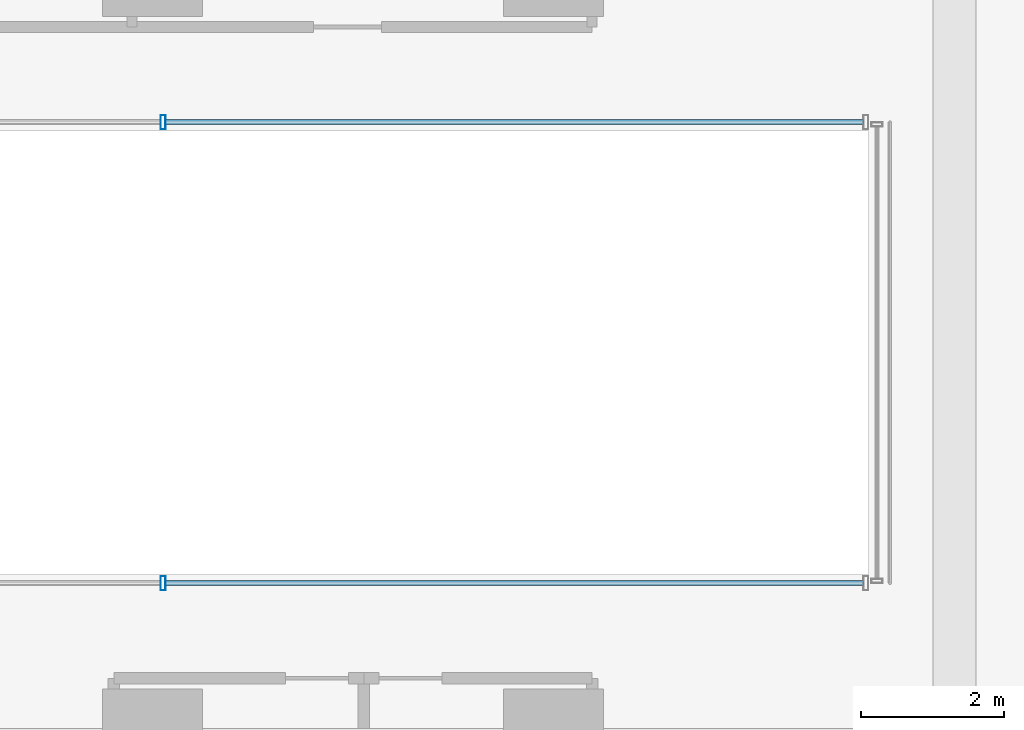
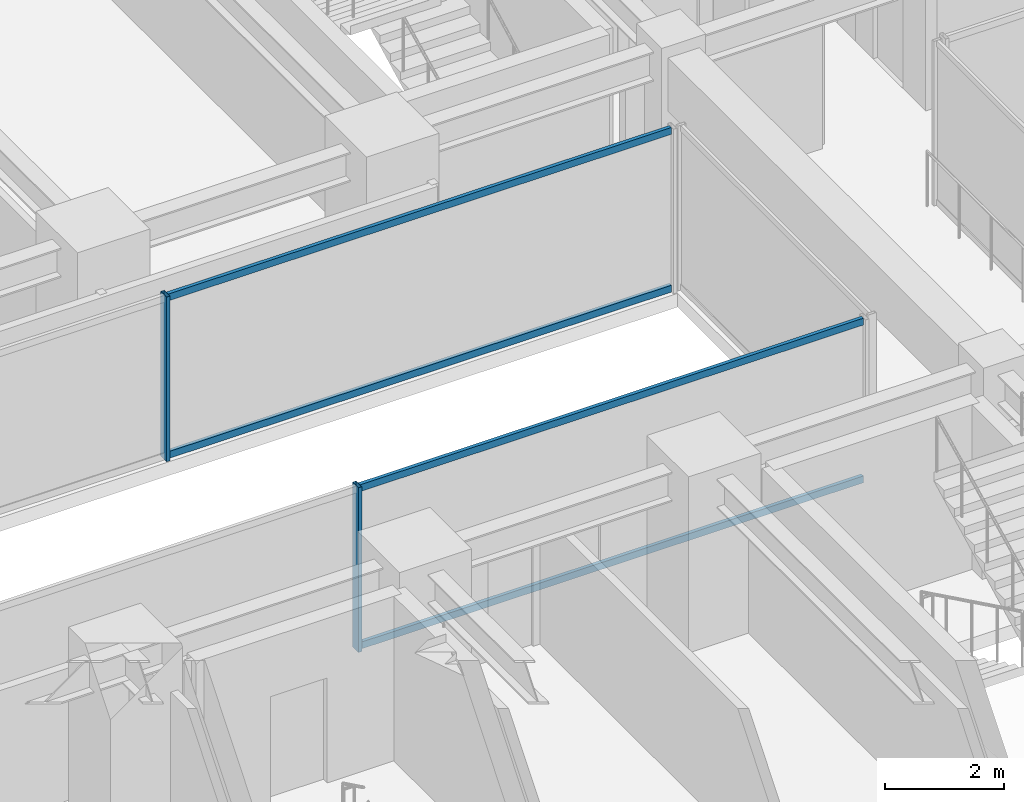
# One storey, part 11 of 37: 6 members, 2 elements without a shape of their own.
"""IFC4 building model written with IfcOpenShell, lengths in metres."""

import ifcopenshell
import ifcopenshell.guid

model = None  # the IFC model being written
_history = None  # IfcOwnerHistory: only IFC2X3 demands one
_inside = {}  # id of a spatial element -> (the spatial element, [elements in it])
_under = {}  # id of a project, library or spatial element -> (it, [spatial elements below it])
_declared = {}  # id of a project -> (the project, [libraries it declares])
_typed = {}  # id of a type object -> (the type object, [elements of that type])
_made_of = {}  # id of a material, layer set ... -> (it, [elements and type objects made of it])


def new_model(schema):
    """Start an empty IFC model of exactly this schema.

    Asked for "IFC4X3", IfcOpenShell would pick the latest addendum, in which some entities
    have other attributes; the version numbers below select the first issue.
    IFC2X3 requires an IfcOwnerHistory on every rooted entity: one is made here for all.
    """
    global model, _history
    if schema == "IFC4X3":
        model = ifcopenshell.file(schema_version=(4, 3, 0, 0))
    else:
        model = ifcopenshell.file(schema=schema)
    _inside.clear()
    _under.clear()
    _declared.clear()
    _typed.clear()
    _made_of.clear()
    _history = None
    if model.schema == "IFC2X3":
        org = make("IfcOrganization", Name="unknown")
        user = make(
            "IfcPersonAndOrganization",
            ThePerson=make("IfcPerson", FamilyName="unknown"),
            TheOrganization=org,
        )
        app = make(
            "IfcApplication",
            ApplicationDeveloper=org,
            Version="unknown",
            ApplicationFullName="unknown",
            ApplicationIdentifier="unknown",
        )
        _history = make(
            "IfcOwnerHistory",
            OwningUser=user,
            OwningApplication=app,
            ChangeAction="ADDED",
            CreationDate=0,
        )
    return model


def make(cls, **values):
    """One entity of the class cls with the attributes given. An attribute that is None is left unset."""
    return model.create_entity(
        cls, **{name: value for name, value in values.items() if value is not None}
    )


def rooted(cls, **values):
    """An entity with a GlobalId (a new one), such as an element, a storey or a relation."""
    return make(cls, GlobalId=ifcopenshell.guid.new(), OwnerHistory=_history, **values)


def si_unit(unit_type, name, prefix=None):
    """IfcSIUnit, for example si_unit("LENGTHUNIT", "METRE", prefix="MILLI")."""
    return make("IfcSIUnit", UnitType=unit_type, Prefix=prefix, Name=name)


def assignment(units):
    """IfcUnitAssignment: the units of a project."""
    return None if units is None else make("IfcUnitAssignment", Units=units)


def point(xyz):
    """IfcCartesianPoint."""
    return None if xyz is None else make("IfcCartesianPoint", Coordinates=xyz)


def direction(xyz):
    """IfcDirection."""
    return None if xyz is None else make("IfcDirection", DirectionRatios=xyz)


def frame(location, z_axis=None, x_axis=None):
    """IfcAxis2Placement3D, a coordinate frame: its origin and axes. An axis left out is left unset."""
    return make(
        "IfcAxis2Placement3D",
        Location=point(location),
        Axis=direction(z_axis),
        RefDirection=direction(x_axis),
    )


def frame_2d(location, x_axis=None):
    """IfcAxis2Placement2D, a coordinate frame in the plane: its origin and x axis."""
    return make(
        "IfcAxis2Placement2D", Location=point(location), RefDirection=direction(x_axis)
    )


def origin():
    """The frame at (0, 0, 0) with its axes left unset."""
    return frame((0.0, 0.0, 0.0))


def origin_2d():
    """The frame at (0, 0) in the plane with its x axis left unset."""
    return frame_2d((0.0, 0.0))


def place(relative_to, where):
    """IfcLocalPlacement: puts the frame where relative to a parent placement (None: the world)."""
    return make(
        "IfcLocalPlacement", PlacementRelTo=relative_to, RelativePlacement=where
    )


def context(
    kind, dimensions, precision=None, world=None, true_north=None, identifier=None
):
    """IfcGeometricRepresentationContext, for example the 3D "Model" context."""
    return make(
        "IfcGeometricRepresentationContext",
        ContextIdentifier=identifier,
        ContextType=kind,
        CoordinateSpaceDimension=dimensions,
        Precision=precision,
        WorldCoordinateSystem=world,
        TrueNorth=true_north,
    )


def subcontext(parent, identifier, kind, view, scale=None):
    """IfcGeometricRepresentationSubContext, for example "Body" below "Model"."""
    return make(
        "IfcGeometricRepresentationSubContext",
        ContextIdentifier=identifier,
        ContextType=kind,
        ParentContext=parent,
        TargetScale=scale,
        TargetView=view,
    )


def project(units=None, contexts=None):
    """IfcProject with its units and contexts."""
    return rooted(
        "IfcProject",
        Name="project",
        RepresentationContexts=contexts,
        UnitsInContext=assignment(units),
    )


def spatial(cls, under=None, at=None, **own):
    """A site, building, storey or space (cls), placed at a placement, below another one or the project."""
    s = rooted(cls, ObjectPlacement=at, **own)
    if under is not None:
        _under.setdefault(under.id(), (under, []))[1].append(s)
    return s


def profile(cls, at=None, kind="AREA", **sizes):
    """A parametric profile (cls). Its sizes go by their IFC names, for example OverallWidth=200.0."""
    return make(cls, ProfileType=kind, Position=at, **sizes)


def hollow_rectangle(**sizes):
    """IfcRectangleHollowProfileDef."""
    return profile("IfcRectangleHollowProfileDef", **sizes)


def extrude(swept, where, along, depth):
    """IfcExtrudedAreaSolid: the profile swept, set in the frame where, extruded along a direction by depth."""
    return make(
        "IfcExtrudedAreaSolid",
        SweptArea=swept,
        Position=where,
        ExtrudedDirection=direction(along),
        Depth=depth,
    )


def shape(context_of_items, identifier, shape_type, items):
    """IfcShapeRepresentation: the items that make up one representation, for example the "Body"."""
    return make(
        "IfcShapeRepresentation",
        ContextOfItems=context_of_items,
        RepresentationIdentifier=identifier,
        RepresentationType=shape_type,
        Items=items,
    )


def source(mapping_origin, context_of_items, identifier, shape_type, items):
    """IfcRepresentationMap: a shape defined once, which mapped items show again and again."""
    return make(
        "IfcRepresentationMap",
        MappingOrigin=mapping_origin,
        MappedRepresentation=shape(context_of_items, identifier, shape_type, items),
    )


def transform(
    local_origin,
    x_axis=None,
    y_axis=None,
    z_axis=None,
    scale=None,
    scale2=None,
    scale3=None,
    uniform=True,
):
    """IfcCartesianTransformationOperator3D, or its non-uniform kind. x_axis, y_axis, z_axis: its Axis1, 2, 3."""
    if uniform:
        return make(
            "IfcCartesianTransformationOperator3D",
            Axis1=direction(x_axis),
            Axis2=direction(y_axis),
            LocalOrigin=point(local_origin),
            Scale=scale,
            Axis3=direction(z_axis),
        )
    return make(
        "IfcCartesianTransformationOperator3DnonUniform",
        Axis1=direction(x_axis),
        Axis2=direction(y_axis),
        LocalOrigin=point(local_origin),
        Scale=scale,
        Axis3=direction(z_axis),
        Scale2=scale2,
        Scale3=scale3,
    )


def mapped(mapping_source, mapping_target):
    """IfcMappedItem: shows the shape of a source again, moved by a transform."""
    return make(
        "IfcMappedItem", MappingSource=mapping_source, MappingTarget=mapping_target
    )


def material(Name=None, Category=None):
    """IfcMaterial."""
    return make("IfcMaterial", Name=Name, Category=Category)


def material_profile(
    of_material, cross_section, Name=None, Category=None, Priority=None
):
    """IfcMaterialProfile: a cross section and its material."""
    return make(
        "IfcMaterialProfile",
        Name=Name,
        Material=of_material,
        Profile=cross_section,
        Priority=Priority,
        Category=Category,
    )


def profile_set(profiles, Name=None, composite=None):
    """IfcMaterialProfileSet."""
    return make(
        "IfcMaterialProfileSet",
        Name=Name,
        MaterialProfiles=profiles,
        CompositeProfile=composite,
    )


def made_of(thing, what):
    """Note that an element or type object is made of a material, layer set ...; save() writes the relation."""
    if what is not None:
        _made_of.setdefault(what.id(), (what, []))[1].append(thing)
    return thing


def type_object(cls, material=None, **own):
    """A type object (cls), such as IfcWallType, which elements share."""
    return made_of(rooted(cls, **own), material)


def element(
    cls,
    number,
    at=None,
    inside=None,
    cuts=None,
    type_object=None,
    material=None,
    context=None,
    identifier="Body",
    shape_type=None,
    held_by="IfcProductDefinitionShape",
    body=None,
    shapes=None,
    **own,
):
    """One element of the class cls, such as IfcWall. Its Tag is "e" and its number.

    at: its placement. inside: the storey or other place that contains it. cuts: it is an
    opening in that element (IfcRelVoidsElement). A single representation is given by context,
    identifier, shape_type and body (its items); several are given by shapes. held_by: the class
    of the entity that holds the representations. save() writes the other relations.
    """
    e = rooted(cls, Tag="e%d" % number, ObjectPlacement=at, **own)
    if body is not None:
        shapes = [shape(context, identifier, shape_type, body)]
    if shapes is not None:
        e.Representation = make(held_by, Representations=shapes)
    if inside is not None:
        _inside.setdefault(inside.id(), (inside, []))[1].append(e)
    if cuts is not None:
        rooted(
            "IfcRelVoidsElement", RelatingBuildingElement=cuts, RelatedOpeningElement=e
        )
    if type_object is not None:
        _typed.setdefault(type_object.id(), (type_object, []))[1].append(e)
    return made_of(e, material)


def aggregate(whole, parts):
    """IfcRelAggregates: a whole, such as a stair, and the parts it consists of."""
    return rooted("IfcRelAggregates", RelatingObject=whole, RelatedObjects=parts)


def save(model, path):
    """Write the relations noted so far, then the file.

    IfcRelAggregates (storeys below a building ...), IfcRelContainedInSpatialStructure (elements
    in a storey), IfcRelDefinesByType, IfcRelAssociatesMaterial and IfcRelDeclares: one each for
    every whole, place, type object, material and project.
    """
    for whole, parts in _under.values():
        aggregate(whole, parts)
    for where, things in _inside.values():
        rooted(
            "IfcRelContainedInSpatialStructure",
            RelatedElements=things,
            RelatingStructure=where,
        )
    for kind, things in _typed.values():
        rooted("IfcRelDefinesByType", RelatedObjects=things, RelatingType=kind)
    for what, things in _made_of.values():
        rooted("IfcRelAssociatesMaterial", RelatedObjects=things, RelatingMaterial=what)
    for by, libraries in _declared.values():
        rooted("IfcRelDeclares", RelatingContext=by, RelatedDefinitions=libraries)
    model.write(path)


model = new_model("IFC4")

# Units and contexts
model_context = context("Model", 3, precision=1e-05, world=origin(), true_north=direction((0.0, 1.0)))
body_context = subcontext(model_context, "Body", "Model", "MODEL_VIEW")
ifc_project = project(units=[si_unit("LENGTHUNIT", "METRE"), si_unit("AREAUNIT", "SQUARE_METRE"), si_unit("VOLUMEUNIT", "CUBIC_METRE"), si_unit("PLANEANGLEUNIT", "RADIAN"), si_unit("MASSUNIT", "GRAM", prefix="KILO")], contexts=[model_context])

# Site, building, storey
site_placement = place(None, origin())
site = spatial("IfcSite", under=ifc_project, at=site_placement, CompositionType="ELEMENT")
building_placement = place(site_placement, origin())
building = spatial("IfcBuilding", under=site, at=building_placement, Name="Nahalor Promenade Grand Hotel", CompositionType="ELEMENT")
storey_placement = place(building_placement, frame((0.0, 0.0, 65.25)))
storey = spatial("IfcBuildingStorey", under=building, at=storey_placement, Name="L15", CompositionType="ELEMENT", Elevation=65.25)

# Curtain wall, members
ifc_material = material(Name="Anodised Bronze Aluminium EN AW-6063 T6", Category="aluminium")
curtain_wall_type = type_object("IfcCurtainWallType", Name="CW3 Elliptical-Void Collar Unitised Curtain Wall", PredefinedType="USERDEFINED", material=ifc_material)
curtain_wall_1_placement = place(storey_placement, origin())
curtain_wall_1 = element("IfcCurtainWall", 1, at=curtain_wall_1_placement, inside=storey, type_object=curtain_wall_type, Name="L15 Curtain Wall CW-L15-VOID-WS1", ObjectType="UNITISED_CURTAIN_WALL", PredefinedType="USERDEFINED")
ifc_material_profile_1 = material_profile(ifc_material, hollow_rectangle(XDim=0.07, YDim=0.14, WallThickness=0.004, at=origin_2d()), Name="CWT 70x140x4")
ifc_profile_set_1 = profile_set([ifc_material_profile_1], Name="Anodised Bronze Aluminium EN AW-6063 T6")
member_type_1 = type_object("IfcMemberType", Name="CWT3 Void Collar Transom 70x140", PredefinedType="USERDEFINED", material=ifc_profile_set_1)
shared_shape_1 = source(origin(), body_context, "Body", "SweptSolid", [
    extrude(hollow_rectangle(XDim=0.07, YDim=0.14, WallThickness=0.004, at=origin_2d()), origin(), (0.0, 0.0, 1.0), 9.748291015625),
])
member_1_placement = place(storey_placement, frame((-2.618408203125, -3.219970703125, 0.070068359375), z_axis=(1.0, 0.0, 0.0), x_axis=(0.0, 1.0, 0.0)))
member_1 = element("IfcMember", 2, at=member_1_placement, type_object=member_type_1, Name="CW-L15-VOID-WS1 Transom 2-0", ObjectType="TRANSOM", PredefinedType="USERDEFINED", context=body_context, shape_type="MappedRepresentation", body=[
    mapped(shared_shape_1, transform((0.0, 0.0, 0.0), scale=1.0)),
])
member_2_placement = place(storey_placement, frame((-2.618408203125, -3.219970703125, 3.300048828125), z_axis=(1.0, 0.0, 0.0), x_axis=(0.0, 1.0, 0.0)))
member_2 = element("IfcMember", 3, at=member_2_placement, type_object=member_type_1, Name="CW-L15-VOID-WS1 Transom 2-1", ObjectType="TRANSOM", PredefinedType="USERDEFINED", context=body_context, shape_type="MappedRepresentation", body=[
    mapped(shared_shape_1, transform((0.0, 0.0, 0.0), scale=1.0)),
])

curtain_wall_2_placement = place(storey_placement, origin())
curtain_wall_2 = element("IfcCurtainWall", 4, at=curtain_wall_2_placement, inside=storey, type_object=curtain_wall_type, Name="L15 Curtain Wall CW-L15-VOID-WN1", ObjectType="UNITISED_CURTAIN_WALL", PredefinedType="USERDEFINED")
member_3_placement = place(storey_placement, frame((-2.618408203125, 3.219970703125, 0.070068359375), z_axis=(1.0, 0.0, 0.0), x_axis=(0.0, 1.0, 0.0)))
member_3 = element("IfcMember", 5, at=member_3_placement, type_object=member_type_1, Name="CW-L15-VOID-WN1 Transom 2-0", ObjectType="TRANSOM", PredefinedType="USERDEFINED", context=body_context, shape_type="MappedRepresentation", body=[
    mapped(shared_shape_1, transform((0.0, 0.0, 0.0), scale=1.0)),
])
member_4_placement = place(storey_placement, frame((-2.618408203125, 3.219970703125, 3.300048828125), z_axis=(1.0, 0.0, 0.0), x_axis=(0.0, 1.0, 0.0)))
member_4 = element("IfcMember", 6, at=member_4_placement, type_object=member_type_1, Name="CW-L15-VOID-WN1 Transom 2-1", ObjectType="TRANSOM", PredefinedType="USERDEFINED", context=body_context, shape_type="MappedRepresentation", body=[
    mapped(shared_shape_1, transform((0.0, 0.0, 0.0), scale=1.0)),
])

# Member
ifc_material_profile_2 = material_profile(ifc_material, hollow_rectangle(XDim=0.07, YDim=0.2, WallThickness=0.005, at=origin_2d()), Name="CWM 70x200x5")
ifc_profile_set_2 = profile_set([ifc_material_profile_2], Name="Anodised Bronze Aluminium EN AW-6063 T6")
member_type_2 = type_object("IfcMemberType", Name="CWM3 Void Collar Mullion 70x200", PredefinedType="MULLION", material=ifc_profile_set_2)
shared_shape_2 = source(origin(), body_context, "Body", "SweptSolid", [
    extrude(hollow_rectangle(XDim=0.07, YDim=0.2, WallThickness=0.005, at=origin_2d()), origin(), (0.0, 0.0, 1.0), 3.3701171875),
])
member_5_placement = place(storey_placement, frame((-2.6533203125, -3.219970703125, 0.0), z_axis=(0.0, 0.0, 1.0), x_axis=(1.0, 0.0, 0.0)))
member_5 = element("IfcMember", 7, at=member_5_placement, type_object=member_type_2, Name="CW-L15-VOID-WS1 Mullion 2", PredefinedType="MULLION", context=body_context, shape_type="MappedRepresentation", body=[
    mapped(shared_shape_2, transform((0.0, 0.0, 0.0), scale=1.0)),
])

aggregate(curtain_wall_1, [member_5, member_1, member_2])

member_6_placement = place(storey_placement, frame((-2.6533203125, 3.219970703125, 0.0), z_axis=(0.0, 0.0, 1.0), x_axis=(1.0, 0.0, 0.0)))
member_6 = element("IfcMember", 8, at=member_6_placement, type_object=member_type_2, Name="CW-L15-VOID-WN1 Mullion 2", PredefinedType="MULLION", context=body_context, shape_type="MappedRepresentation", body=[
    mapped(shared_shape_2, transform((0.0, 0.0, 0.0), scale=1.0)),
])

aggregate(curtain_wall_2, [member_6, member_3, member_4])

save(model, "model.ifc")
